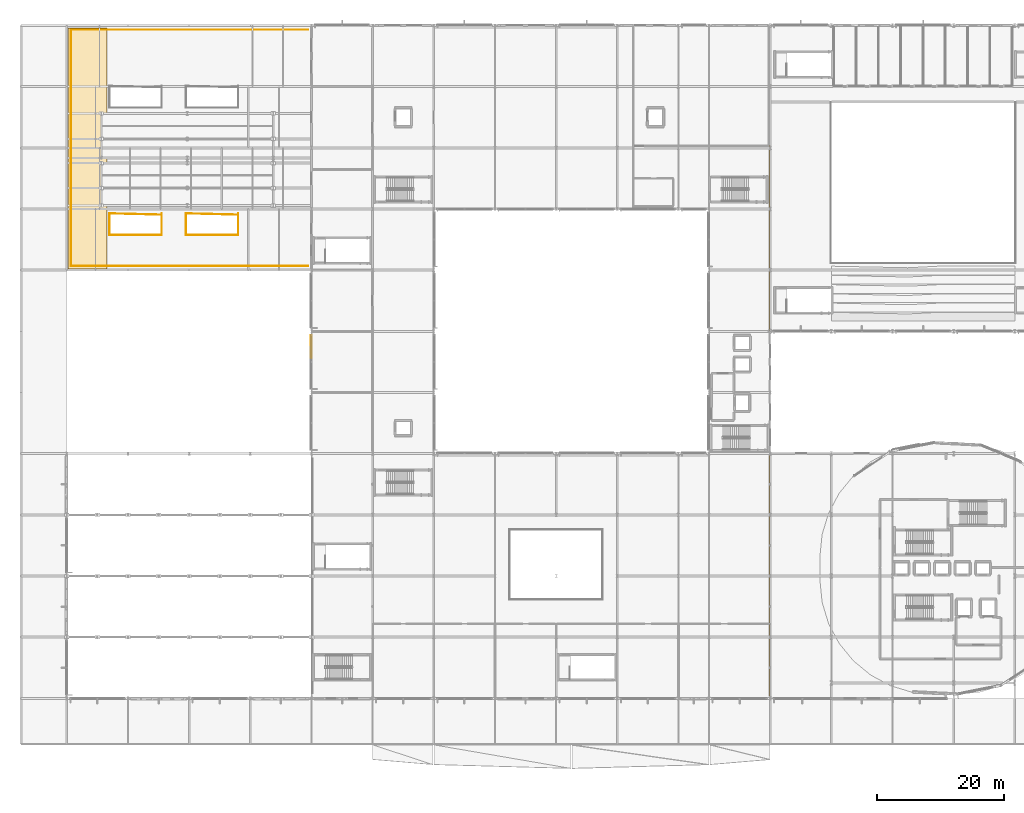
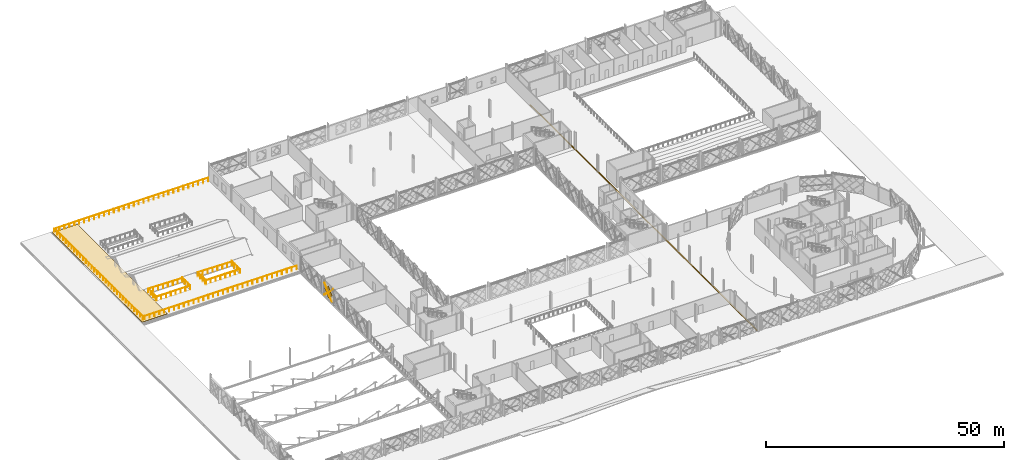
# One storey, part 86 of 101: 6 railings, 5 coverings.
"""IFC4 building model written with IfcOpenShell, lengths in metres."""

from ifc_helpers import new_model, si_unit, direction, frame, origin, origin_2d, place, context, subcontext, project, spatial, polyline, circle, outline, extrude, material, layer, layer_set, type_object, element, save


model = new_model("IFC4")

# Units and contexts
model_context = context("Model", 3, precision=1e-05, world=origin(), true_north=direction((0.0, 1.0)))
body_context = subcontext(model_context, "Body", "Model", "MODEL_VIEW")
ifc_project = project(units=[si_unit("LENGTHUNIT", "METRE"), si_unit("AREAUNIT", "SQUARE_METRE"), si_unit("VOLUMEUNIT", "CUBIC_METRE"), si_unit("PLANEANGLEUNIT", "RADIAN"), si_unit("MASSUNIT", "GRAM", prefix="KILO")], contexts=[model_context])

# Site, building, storey
site_placement = place(None, origin())
site = spatial("IfcSite", under=ifc_project, at=site_placement, CompositionType="ELEMENT")
building_placement = place(site_placement, origin())
building = spatial("IfcBuilding", under=site, at=building_placement, Name="Zevrakil Square Congress Hotel", CompositionType="ELEMENT")
storey_placement = place(building_placement, frame((0.0, 0.0, 5.39990234375)))
storey = spatial("IfcBuildingStorey", under=building, at=storey_placement, Name="L02", CompositionType="ELEMENT", Elevation=5.39990234375)

# Coverings
ifc_material_1 = material(Name="Architectural White Fibre-C GRC", Category="concrete")
ifc_layer_1 = layer(ifc_material_1, 0.06494140625)
ifc_layer_set_1 = layer_set([ifc_layer_1], Name="Architectural White Fibre-C GRC")
covering_type_1 = type_object("IfcCoveringType", Name="COV-DIA-WHITE", PredefinedType="CLADDING", material=ifc_layer_set_1)
covering_1_placement = place(storey_placement, frame((45.507080078125, 62.60009765625, 3.27001953125), z_axis=(-0.999999812555, 0.0, 0.000612282237), x_axis=(-0.000432915721, -0.707161000838, -0.707052424844)))
element("IfcCovering", 1, at=covering_1_placement, inside=storey, type_object=covering_type_1, Name="L02 45-degree white GRC diamond facade cassette 466", PredefinedType="CLADDING", context=body_context, shape_type="SweptSolid", body=[
    extrude(outline(polyline([(0.0, 0.0), (2.2485514454845923, 0.0), (2.248379222880032, -2.2487240657380214), (0.013983748838055643, -2.248379882955194), (-0.0001711092764935529, -2.234222853853795), (0.0, 0.0)])), origin(), (0.0, 0.0, -1.0), 0.1201171875),
])
ifc_material_2 = material(Name="Anodised Champagne Aluminium", Category="aluminium")
ifc_layer_2 = layer(ifc_material_2, 0.0849609375)
ifc_layer_set_2 = layer_set([ifc_layer_2], Name="Anodised Champagne Aluminium")
covering_type_2 = type_object("IfcCoveringType", Name="COV-DIAGRID-45", PredefinedType="MOLDING", material=ifc_layer_set_2)
covering_2_placement = place(storey_placement, frame((45.47998046875, 64.093994140625, 0.080078125), z_axis=(-0.99999988382, -0.000187951111, 0.000443884538), x_axis=(-0.000187951092, 0.999999982337, 8.3429e-08)))
element("IfcCovering", 2, at=covering_2_placement, inside=storey, type_object=covering_type_2, Name="L02 45-degree aluminium diagrid rib 469", PredefinedType="MOLDING", context=body_context, shape_type="SweptSolid", body=[
    extrude(outline(polyline([(0.0, 0.0), (0.08593749848210225, 1.137373342260413e-24), (0.085937509012518, -0.12622069069014652), (-3.302978577000679, -3.515137347782409), (-3.515136776378369, -3.515137347782409), (0.0, 0.0)])), origin(), (0.0, 0.0, -1.0), 0.14501953125),
])
covering_3_placement = place(storey_placement, frame((45.48193359375, 64.179931640625, 3.154052734375), z_axis=(-0.999999905692, 0.000306919207, 0.000307272394), x_axis=(0.00030727238, -9.4308e-08, 0.999999952792)))
element("IfcCovering", 3, at=covering_3_placement, inside=storey, type_object=covering_type_2, Name="L02 45-degree aluminium diagrid rib 472", PredefinedType="MOLDING", context=body_context, shape_type="SweptSolid", body=[
    extrude(outline(polyline([(0.0, 0.0), (0.21215819310940093, 2.8078904387053947e-24), (-3.0739747544917018, -3.286133257175718), (-3.0739747745229002, -3.073730923429806), (0.0, 0.0)])), origin(), (0.0, 0.0, -1.0), 0.14501953125),
])
ifc_material_3 = material(Name="Honed Addis Basalt Stone Flooring", Category="masonry")
ifc_layer_3 = layer(ifc_material_3, 0.030029296875)
ifc_layer_set_3 = layer_set([ifc_layer_3], Name="Honed Addis Basalt Stone Flooring")
covering_type_3 = type_object("IfcCoveringType", Name="COV-FLOR-BASALT-030", PredefinedType="FLOORING", material=ifc_layer_set_3)
covering_4_placement = place(storey_placement, origin())
element("IfcCovering", 4, at=covering_4_placement, inside=storey, type_object=covering_type_3, Name="L02 flush movement-joint floor cover plate 08", PredefinedType="FLOORING", context=body_context, shape_type="SweptSolid", body=[
    extrude(outline(polyline([(117.47998046875, 7.60009765625), (117.719970703125, 7.60009765625), (117.719970703125, 102.800048828125), (117.47998046875, 102.800048828125), (117.47998046875, 7.60009765625)])), origin(), (0.0, 0.0, 1.0), 0.030029296875),
])
ifc_material_4 = material(Name="EPDM Weatherproof Roof Membrane")
ifc_layer_4 = layer(ifc_material_4, 0.06005859375)
ifc_layer_set_4 = layer_set([ifc_layer_4], Name="EPDM Weatherproof Roof Membrane")
covering_type_4 = type_object("IfcCoveringType", Name="COV-ROOF-MEMB-060", PredefinedType="ROOFING", material=ifc_layer_set_4)
covering_5_placement = place(storey_placement, origin())
element("IfcCovering", 5, at=covering_5_placement, inside=storey, type_object=covering_type_4, Name="L02 weatherproof roof membrane covering COV-ROOF-L02-SPA", PredefinedType="ROOFING", context=body_context, shape_type="SweptSolid", body=[
    extrude(outline(polyline([(7.39990234375, 74.60009765625), (13.5, 74.60009765625), (13.5, 112.39990234375), (7.39990234375, 112.39990234375), (7.39990234375, 74.60009765625)])), origin(), (0.0, 0.0, 1.0), 0.06005859375),
])

# Railings
ifc_material_5 = material(Name="Steel S355", Category="steel")
railing_type = type_object("IfcRailingType", Name="RLG-TERR-1100", PredefinedType="BALUSTRADE", material=ifc_material_5)
railing_1_placement = place(storey_placement, frame((7.85009765625, 75.050048828125, 0.0)))
element("IfcRailing", 6, at=railing_1_placement, inside=storey, type_object=railing_type, Name="L02 terrace and void safety balustrade guard 1", PredefinedType="BALUSTRADE", context=body_context, shape_type="SweptSolid", body=[
    extrude(circle(Radius=0.02392578125, at=origin_2d()), frame((0.0, 0.0, 1.076171875), z_axis=(0.0, 1.0, 0.0), x_axis=(-1.0, 0.0, 0.0)), (0.0, 0.0, 1.0), 37.099853515625),
    extrude(circle(Radius=0.02392578125, at=origin_2d()), frame((0.0, 37.099853515625, 1.076171875), z_axis=(1.0, 0.0, 0.0), x_axis=(0.0, 1.0, 0.0)), (0.0, 0.0, 1.0), 37.199951171875),
    extrude(circle(Radius=0.02099609375, at=origin_2d()), origin(), (0.0, 0.0, 1.0), 1.052001953125),
    extrude(circle(Radius=0.02099609375, at=origin_2d()), frame((0.0, 1.19677734375, 0.0)), (0.0, 0.0, 1.0), 1.052001953125),
    extrude(circle(Radius=0.02099609375, at=origin_2d()), frame((0.0, 2.3935546875, 0.0)), (0.0, 0.0, 1.0), 1.052001953125),
    extrude(circle(Radius=0.02099609375, at=origin_2d()), frame((0.0, 3.59033203125, 0.0)), (0.0, 0.0, 1.0), 1.052001953125),
    extrude(circle(Radius=0.02099609375, at=origin_2d()), frame((0.0, 4.787109375, 0.0)), (0.0, 0.0, 1.0), 1.052001953125),
    extrude(circle(Radius=0.02099609375, at=origin_2d()), frame((0.0, 5.98388671875, 0.0)), (0.0, 0.0, 1.0), 1.052001953125),
    extrude(circle(Radius=0.02099609375, at=origin_2d()), frame((0.0, 7.1806640625, 0.0)), (0.0, 0.0, 1.0), 1.052001953125),
    extrude(circle(Radius=0.02099609375, at=origin_2d()), frame((0.0, 8.37744140625, 0.0)), (0.0, 0.0, 1.0), 1.052001953125),
    extrude(circle(Radius=0.02099609375, at=origin_2d()), frame((0.0, 9.57421875, 0.0)), (0.0, 0.0, 1.0), 1.052001953125),
    extrude(circle(Radius=0.02099609375, at=origin_2d()), frame((0.0, 10.77099609375, 0.0)), (0.0, 0.0, 1.0), 1.052001953125),
    extrude(circle(Radius=0.02099609375, at=origin_2d()), frame((0.0, 11.9677734375, 0.0)), (0.0, 0.0, 1.0), 1.052001953125),
    extrude(circle(Radius=0.02099609375, at=origin_2d()), frame((0.0, 13.16455078125, 0.0)), (0.0, 0.0, 1.0), 1.052001953125),
    extrude(circle(Radius=0.02099609375, at=origin_2d()), frame((0.0, 14.361328125, 0.0)), (0.0, 0.0, 1.0), 1.052001953125),
    extrude(circle(Radius=0.02099609375, at=origin_2d()), frame((0.0, 15.55810546875, 0.0)), (0.0, 0.0, 1.0), 1.052001953125),
    extrude(circle(Radius=0.02099609375, at=origin_2d()), frame((0.0, 16.7548828125, 0.0)), (0.0, 0.0, 1.0), 1.052001953125),
    extrude(circle(Radius=0.02099609375, at=origin_2d()), frame((0.0, 17.95166015625, 0.0)), (0.0, 0.0, 1.0), 1.052001953125),
    extrude(circle(Radius=0.02099609375, at=origin_2d()), frame((0.0, 19.148193359375, 0.0)), (0.0, 0.0, 1.0), 1.052001953125),
    extrude(circle(Radius=0.02099609375, at=origin_2d()), frame((0.0, 20.344970703125, 0.0)), (0.0, 0.0, 1.0), 1.052001953125),
    extrude(circle(Radius=0.02099609375, at=origin_2d()), frame((0.0, 21.541748046875, 0.0)), (0.0, 0.0, 1.0), 1.052001953125),
    extrude(circle(Radius=0.02099609375, at=origin_2d()), frame((0.0, 22.738525390625, 0.0)), (0.0, 0.0, 1.0), 1.052001953125),
    extrude(circle(Radius=0.02099609375, at=origin_2d()), frame((0.0, 23.935302734375, 0.0)), (0.0, 0.0, 1.0), 1.052001953125),
    extrude(circle(Radius=0.02099609375, at=origin_2d()), frame((0.0, 25.132080078125, 0.0)), (0.0, 0.0, 1.0), 1.052001953125),
    extrude(circle(Radius=0.02099609375, at=origin_2d()), frame((0.0, 26.328857421875, 0.0)), (0.0, 0.0, 1.0), 1.052001953125),
    extrude(circle(Radius=0.02099609375, at=origin_2d()), frame((0.0, 27.525634765625, 0.0)), (0.0, 0.0, 1.0), 1.052001953125),
    extrude(circle(Radius=0.02099609375, at=origin_2d()), frame((0.0, 28.722412109375, 0.0)), (0.0, 0.0, 1.0), 1.052001953125),
    extrude(circle(Radius=0.02099609375, at=origin_2d()), frame((0.0, 29.919189453125, 0.0)), (0.0, 0.0, 1.0), 1.052001953125),
    extrude(circle(Radius=0.02099609375, at=origin_2d()), frame((0.0, 31.115966796875, 0.0)), (0.0, 0.0, 1.0), 1.052001953125),
    extrude(circle(Radius=0.02099609375, at=origin_2d()), frame((0.0, 32.312744140625, 0.0)), (0.0, 0.0, 1.0), 1.052001953125),
    extrude(circle(Radius=0.02099609375, at=origin_2d()), frame((0.0, 33.509521484375, 0.0)), (0.0, 0.0, 1.0), 1.052001953125),
    extrude(circle(Radius=0.02099609375, at=origin_2d()), frame((0.0, 34.706298828125, 0.0)), (0.0, 0.0, 1.0), 1.052001953125),
    extrude(circle(Radius=0.02099609375, at=origin_2d()), frame((0.0, 35.903076171875, 0.0)), (0.0, 0.0, 1.0), 1.052001953125),
    extrude(circle(Radius=0.02099609375, at=origin_2d()), frame((0.0, 37.099853515625, 0.0)), (0.0, 0.0, 1.0), 1.052001953125),
    extrude(circle(Radius=0.02099609375, at=origin_2d()), frame((1.199951171875, 37.099853515625, 0.0)), (0.0, 0.0, 1.0), 1.052001953125),
    extrude(circle(Radius=0.02099609375, at=origin_2d()), frame((2.39990234375, 37.099853515625, 0.0)), (0.0, 0.0, 1.0), 1.052001953125),
    extrude(circle(Radius=0.02099609375, at=origin_2d()), frame((3.60009765625, 37.099853515625, 0.0)), (0.0, 0.0, 1.0), 1.052001953125),
    extrude(circle(Radius=0.02099609375, at=origin_2d()), frame((4.800048828125, 37.099853515625, 0.0)), (0.0, 0.0, 1.0), 1.052001953125),
    extrude(circle(Radius=0.02099609375, at=origin_2d()), frame((6.0, 37.099853515625, 0.0)), (0.0, 0.0, 1.0), 1.052001953125),
    extrude(circle(Radius=0.02099609375, at=origin_2d()), frame((7.199951171875, 37.099853515625, 0.0)), (0.0, 0.0, 1.0), 1.052001953125),
    extrude(circle(Radius=0.02099609375, at=origin_2d()), frame((8.39990234375, 37.099853515625, 0.0)), (0.0, 0.0, 1.0), 1.052001953125),
    extrude(circle(Radius=0.02099609375, at=origin_2d()), frame((9.60009765625, 37.099853515625, 0.0)), (0.0, 0.0, 1.0), 1.052001953125),
    extrude(circle(Radius=0.02099609375, at=origin_2d()), frame((10.800048828125, 37.099853515625, 0.0)), (0.0, 0.0, 1.0), 1.052001953125),
    extrude(circle(Radius=0.02099609375, at=origin_2d()), frame((12.0, 37.099853515625, 0.0)), (0.0, 0.0, 1.0), 1.052001953125),
    extrude(circle(Radius=0.02099609375, at=origin_2d()), frame((13.199951171875, 37.099853515625, 0.0)), (0.0, 0.0, 1.0), 1.052001953125),
    extrude(circle(Radius=0.02099609375, at=origin_2d()), frame((14.39990234375, 37.099853515625, 0.0)), (0.0, 0.0, 1.0), 1.052001953125),
    extrude(circle(Radius=0.02099609375, at=origin_2d()), frame((15.60009765625, 37.099853515625, 0.0)), (0.0, 0.0, 1.0), 1.052001953125),
    extrude(circle(Radius=0.02099609375, at=origin_2d()), frame((16.800048828125, 37.099853515625, 0.0)), (0.0, 0.0, 1.0), 1.052001953125),
    extrude(circle(Radius=0.02099609375, at=origin_2d()), frame((18.0, 37.099853515625, 0.0)), (0.0, 0.0, 1.0), 1.052001953125),
    extrude(circle(Radius=0.02099609375, at=origin_2d()), frame((19.199951171875, 37.099853515625, 0.0)), (0.0, 0.0, 1.0), 1.052001953125),
    extrude(circle(Radius=0.02099609375, at=origin_2d()), frame((20.39990234375, 37.099853515625, 0.0)), (0.0, 0.0, 1.0), 1.052001953125),
    extrude(circle(Radius=0.02099609375, at=origin_2d()), frame((21.599853515625, 37.099853515625, 0.0)), (0.0, 0.0, 1.0), 1.052001953125),
    extrude(circle(Radius=0.02099609375, at=origin_2d()), frame((22.800048828125, 37.099853515625, 0.0)), (0.0, 0.0, 1.0), 1.052001953125),
    extrude(circle(Radius=0.02099609375, at=origin_2d()), frame((24.0, 37.099853515625, 0.0)), (0.0, 0.0, 1.0), 1.052001953125),
    extrude(circle(Radius=0.02099609375, at=origin_2d()), frame((25.199951171875, 37.099853515625, 0.0)), (0.0, 0.0, 1.0), 1.052001953125),
    extrude(circle(Radius=0.02099609375, at=origin_2d()), frame((26.39990234375, 37.099853515625, 0.0)), (0.0, 0.0, 1.0), 1.052001953125),
    extrude(circle(Radius=0.02099609375, at=origin_2d()), frame((27.599853515625, 37.099853515625, 0.0)), (0.0, 0.0, 1.0), 1.052001953125),
    extrude(circle(Radius=0.02099609375, at=origin_2d()), frame((28.800048828125, 37.099853515625, 0.0)), (0.0, 0.0, 1.0), 1.052001953125),
    extrude(circle(Radius=0.02099609375, at=origin_2d()), frame((30.0, 37.099853515625, 0.0)), (0.0, 0.0, 1.0), 1.052001953125),
    extrude(circle(Radius=0.02099609375, at=origin_2d()), frame((31.199951171875, 37.099853515625, 0.0)), (0.0, 0.0, 1.0), 1.052001953125),
    extrude(circle(Radius=0.02099609375, at=origin_2d()), frame((32.39990234375, 37.099853515625, 0.0)), (0.0, 0.0, 1.0), 1.052001953125),
    extrude(circle(Radius=0.02099609375, at=origin_2d()), frame((33.599853515625, 37.099853515625, 0.0)), (0.0, 0.0, 1.0), 1.052001953125),
    extrude(circle(Radius=0.02099609375, at=origin_2d()), frame((34.800048828125, 37.099853515625, 0.0)), (0.0, 0.0, 1.0), 1.052001953125),
    extrude(circle(Radius=0.02099609375, at=origin_2d()), frame((36.0, 37.099853515625, 0.0)), (0.0, 0.0, 1.0), 1.052001953125),
    extrude(circle(Radius=0.02099609375, at=origin_2d()), frame((37.199951171875, 37.099853515625, 0.0)), (0.0, 0.0, 1.0), 1.052001953125),
])
railing_2_placement = place(storey_placement, frame((8.25, 75.050048828125, 0.0)))
element("IfcRailing", 7, at=railing_2_placement, inside=storey, type_object=railing_type, Name="L02 terrace and void safety balustrade guard 2", PredefinedType="BALUSTRADE", context=body_context, shape_type="SweptSolid", body=[
    extrude(circle(Radius=0.02392578125, at=origin_2d()), frame((0.0, 0.0, 1.076171875), z_axis=(1.0, 0.0, 0.0), x_axis=(0.0, 1.0, 0.0)), (0.0, 0.0, 1.0), 36.800048828125),
    extrude(circle(Radius=0.02099609375, at=origin_2d()), origin(), (0.0, 0.0, 1.0), 1.052001953125),
    extrude(circle(Radius=0.02099609375, at=origin_2d()), frame((1.18701171875, 0.0, 0.0)), (0.0, 0.0, 1.0), 1.052001953125),
    extrude(circle(Radius=0.02099609375, at=origin_2d()), frame((2.374267578125, 0.0, 0.0)), (0.0, 0.0, 1.0), 1.052001953125),
    extrude(circle(Radius=0.02099609375, at=origin_2d()), frame((3.561279296875, 0.0, 0.0)), (0.0, 0.0, 1.0), 1.052001953125),
    extrude(circle(Radius=0.02099609375, at=origin_2d()), frame((4.748291015625, 0.0, 0.0)), (0.0, 0.0, 1.0), 1.052001953125),
    extrude(circle(Radius=0.02099609375, at=origin_2d()), frame((5.935546875, 0.0, 0.0)), (0.0, 0.0, 1.0), 1.052001953125),
    extrude(circle(Radius=0.02099609375, at=origin_2d()), frame((7.12255859375, 0.0, 0.0)), (0.0, 0.0, 1.0), 1.052001953125),
    extrude(circle(Radius=0.02099609375, at=origin_2d()), frame((8.3095703125, 0.0, 0.0)), (0.0, 0.0, 1.0), 1.052001953125),
    extrude(circle(Radius=0.02099609375, at=origin_2d()), frame((9.496826171875, 0.0, 0.0)), (0.0, 0.0, 1.0), 1.052001953125),
    extrude(circle(Radius=0.02099609375, at=origin_2d()), frame((10.683837890625, 0.0, 0.0)), (0.0, 0.0, 1.0), 1.052001953125),
    extrude(circle(Radius=0.02099609375, at=origin_2d()), frame((11.87109375, 0.0, 0.0)), (0.0, 0.0, 1.0), 1.052001953125),
    extrude(circle(Radius=0.02099609375, at=origin_2d()), frame((13.05810546875, 0.0, 0.0)), (0.0, 0.0, 1.0), 1.052001953125),
    extrude(circle(Radius=0.02099609375, at=origin_2d()), frame((14.2451171875, 0.0, 0.0)), (0.0, 0.0, 1.0), 1.052001953125),
    extrude(circle(Radius=0.02099609375, at=origin_2d()), frame((15.432373046875, 0.0, 0.0)), (0.0, 0.0, 1.0), 1.052001953125),
    extrude(circle(Radius=0.02099609375, at=origin_2d()), frame((16.619384765625, 0.0, 0.0)), (0.0, 0.0, 1.0), 1.052001953125),
    extrude(circle(Radius=0.02099609375, at=origin_2d()), frame((17.806396484375, 0.0, 0.0)), (0.0, 0.0, 1.0), 1.052001953125),
    extrude(circle(Radius=0.02099609375, at=origin_2d()), frame((18.99365234375, 0.0, 0.0)), (0.0, 0.0, 1.0), 1.052001953125),
    extrude(circle(Radius=0.02099609375, at=origin_2d()), frame((20.1806640625, 0.0, 0.0)), (0.0, 0.0, 1.0), 1.052001953125),
    extrude(circle(Radius=0.02099609375, at=origin_2d()), frame((21.36767578125, 0.0, 0.0)), (0.0, 0.0, 1.0), 1.052001953125),
    extrude(circle(Radius=0.02099609375, at=origin_2d()), frame((22.554931640625, 0.0, 0.0)), (0.0, 0.0, 1.0), 1.052001953125),
    extrude(circle(Radius=0.02099609375, at=origin_2d()), frame((23.741943359375, 0.0, 0.0)), (0.0, 0.0, 1.0), 1.052001953125),
    extrude(circle(Radius=0.02099609375, at=origin_2d()), frame((24.928955078125, 0.0, 0.0)), (0.0, 0.0, 1.0), 1.052001953125),
    extrude(circle(Radius=0.02099609375, at=origin_2d()), frame((26.1162109375, 0.0, 0.0)), (0.0, 0.0, 1.0), 1.052001953125),
    extrude(circle(Radius=0.02099609375, at=origin_2d()), frame((27.30322265625, 0.0, 0.0)), (0.0, 0.0, 1.0), 1.052001953125),
    extrude(circle(Radius=0.02099609375, at=origin_2d()), frame((28.490478515625, 0.0, 0.0)), (0.0, 0.0, 1.0), 1.052001953125),
    extrude(circle(Radius=0.02099609375, at=origin_2d()), frame((29.677490234375, 0.0, 0.0)), (0.0, 0.0, 1.0), 1.052001953125),
    extrude(circle(Radius=0.02099609375, at=origin_2d()), frame((30.864501953125, 0.0, 0.0)), (0.0, 0.0, 1.0), 1.052001953125),
    extrude(circle(Radius=0.02099609375, at=origin_2d()), frame((32.0517578125, 0.0, 0.0)), (0.0, 0.0, 1.0), 1.052001953125),
    extrude(circle(Radius=0.02099609375, at=origin_2d()), frame((33.23876953125, 0.0, 0.0)), (0.0, 0.0, 1.0), 1.052001953125),
    extrude(circle(Radius=0.02099609375, at=origin_2d()), frame((34.42578125, 0.0, 0.0)), (0.0, 0.0, 1.0), 1.052001953125),
    extrude(circle(Radius=0.02099609375, at=origin_2d()), frame((35.613037109375, 0.0, 0.0)), (0.0, 0.0, 1.0), 1.052001953125),
    extrude(circle(Radius=0.02099609375, at=origin_2d()), frame((36.800048828125, 0.0, 0.0)), (0.0, 0.0, 1.0), 1.052001953125),
])
railing_3_placement = place(storey_placement, frame((13.89990234375, 79.89990234375, 0.0)))
element("IfcRailing", 8, at=railing_3_placement, inside=storey, type_object=railing_type, Name="L02 terrace and void safety balustrade guard 3", PredefinedType="BALUSTRADE", context=body_context, shape_type="SweptSolid", body=[
    extrude(circle(Radius=0.02392578125, at=origin_2d()), frame((0.0, 0.0, 1.076171875), z_axis=(1.0, 0.0, 0.0), x_axis=(0.0, 1.0, 0.0)), (0.0, 0.0, 1.0), 8.2001953125),
    extrude(circle(Radius=0.02392578125, at=origin_2d()), frame((8.2001953125, 0.0, 1.076171875), z_axis=(0.0, 1.0, 0.0), x_axis=(-1.0, 0.0, 0.0)), (0.0, 0.0, 1.0), 3.400146484375),
    extrude(circle(Radius=0.02099609375, at=origin_2d()), origin(), (0.0, 0.0, 1.0), 1.052001953125),
    extrude(circle(Radius=0.02099609375, at=origin_2d()), frame((1.17138671875, 0.0, 0.0)), (0.0, 0.0, 1.0), 1.052001953125),
    extrude(circle(Radius=0.02099609375, at=origin_2d()), frame((2.343017578125, 0.0, 0.0)), (0.0, 0.0, 1.0), 1.052001953125),
    extrude(circle(Radius=0.02099609375, at=origin_2d()), frame((3.514404296875, 0.0, 0.0)), (0.0, 0.0, 1.0), 1.052001953125),
    extrude(circle(Radius=0.02099609375, at=origin_2d()), frame((4.685791015625, 0.0, 0.0)), (0.0, 0.0, 1.0), 1.052001953125),
    extrude(circle(Radius=0.02099609375, at=origin_2d()), frame((5.857177734375, 0.0, 0.0)), (0.0, 0.0, 1.0), 1.052001953125),
    extrude(circle(Radius=0.02099609375, at=origin_2d()), frame((7.02880859375, 0.0, 0.0)), (0.0, 0.0, 1.0), 1.052001953125),
    extrude(circle(Radius=0.02099609375, at=origin_2d()), frame((8.2001953125, 0.0, 0.0)), (0.0, 0.0, 1.0), 1.052001953125),
    extrude(circle(Radius=0.02099609375, at=origin_2d()), frame((8.2001953125, 1.13330078125, 0.0)), (0.0, 0.0, 1.0), 1.052001953125),
    extrude(circle(Radius=0.02099609375, at=origin_2d()), frame((8.2001953125, 2.266845703125, 0.0)), (0.0, 0.0, 1.0), 1.052001953125),
    extrude(circle(Radius=0.02099609375, at=origin_2d()), frame((8.2001953125, 3.400146484375, 0.0)), (0.0, 0.0, 1.0), 1.052001953125),
])
railing_4_placement = place(storey_placement, frame((22.10009765625, 83.10009765625, 0.0)))
element("IfcRailing", 9, at=railing_4_placement, inside=storey, type_object=railing_type, Name="L02 terrace and void safety balustrade guard 4", PredefinedType="BALUSTRADE", context=body_context, shape_type="SweptSolid", body=[
    extrude(circle(Radius=0.02392578125, at=origin_2d()), frame((0.0, 0.0, 1.076171875), z_axis=(-0.99970284988, 0.024376462845, 0.0), x_axis=(-0.024376462845, -0.99970284988, 0.0)), (0.0, 0.0, 1.0), 8.20263671875),
    extrude(circle(Radius=0.02392578125, at=origin_2d()), frame((-8.2001953125, 0.199951171875, 1.076171875), z_axis=(0.0, -1.0, 0.0), x_axis=(1.0, 0.0, 0.0)), (0.0, 0.0, 1.0), 3.199951171875),
    extrude(circle(Radius=0.02099609375, at=origin_2d()), origin(), (0.0, 0.0, 1.0), 1.052001953125),
    extrude(circle(Radius=0.02099609375, at=origin_2d()), frame((-1.17138671875, 0.028564453125, 0.0)), (0.0, 0.0, 1.0), 1.052001953125),
    extrude(circle(Radius=0.02099609375, at=origin_2d()), frame((-2.343017578125, 0.05712890625, 0.0)), (0.0, 0.0, 1.0), 1.052001953125),
    extrude(circle(Radius=0.02099609375, at=origin_2d()), frame((-3.514404296875, 0.085693359375, 0.0)), (0.0, 0.0, 1.0), 1.052001953125),
    extrude(circle(Radius=0.02099609375, at=origin_2d()), frame((-4.685791015625, 0.1142578125, 0.0)), (0.0, 0.0, 1.0), 1.052001953125),
    extrude(circle(Radius=0.02099609375, at=origin_2d()), frame((-5.857177734375, 0.142822265625, 0.0)), (0.0, 0.0, 1.0), 1.052001953125),
    extrude(circle(Radius=0.02099609375, at=origin_2d()), frame((-7.02880859375, 0.17138671875, 0.0)), (0.0, 0.0, 1.0), 1.052001953125),
    extrude(circle(Radius=0.02099609375, at=origin_2d()), frame((-8.2001953125, 0.199951171875, 0.0)), (0.0, 0.0, 1.0), 1.052001953125),
    extrude(circle(Radius=0.02099609375, at=origin_2d()), frame((-8.2001953125, -0.86669921875, 0.0)), (0.0, 0.0, 1.0), 1.052001953125),
    extrude(circle(Radius=0.02099609375, at=origin_2d()), frame((-8.2001953125, -1.933349609375, 0.0)), (0.0, 0.0, 1.0), 1.052001953125),
    extrude(circle(Radius=0.02099609375, at=origin_2d()), frame((-8.2001953125, -3.0, 0.0)), (0.0, 0.0, 1.0), 1.052001953125),
])
railing_5_placement = place(storey_placement, frame((25.89990234375, 79.89990234375, 0.0)))
element("IfcRailing", 10, at=railing_5_placement, inside=storey, type_object=railing_type, Name="L02 terrace and void safety balustrade guard 5", PredefinedType="BALUSTRADE", context=body_context, shape_type="SweptSolid", body=[
    extrude(circle(Radius=0.02392578125, at=origin_2d()), frame((0.0, 0.0, 1.076171875), z_axis=(1.0, 0.0, 0.0), x_axis=(0.0, 1.0, 0.0)), (0.0, 0.0, 1.0), 8.2001953125),
    extrude(circle(Radius=0.02392578125, at=origin_2d()), frame((8.2001953125, 0.0, 1.076171875), z_axis=(0.0, 1.0, 0.0), x_axis=(-1.0, 0.0, 0.0)), (0.0, 0.0, 1.0), 3.400146484375),
    extrude(circle(Radius=0.02099609375, at=origin_2d()), origin(), (0.0, 0.0, 1.0), 1.052001953125),
    extrude(circle(Radius=0.02099609375, at=origin_2d()), frame((1.17138671875, 0.0, 0.0)), (0.0, 0.0, 1.0), 1.052001953125),
    extrude(circle(Radius=0.02099609375, at=origin_2d()), frame((2.343017578125, 0.0, 0.0)), (0.0, 0.0, 1.0), 1.052001953125),
    extrude(circle(Radius=0.02099609375, at=origin_2d()), frame((3.514404296875, 0.0, 0.0)), (0.0, 0.0, 1.0), 1.052001953125),
    extrude(circle(Radius=0.02099609375, at=origin_2d()), frame((4.685791015625, 0.0, 0.0)), (0.0, 0.0, 1.0), 1.052001953125),
    extrude(circle(Radius=0.02099609375, at=origin_2d()), frame((5.857177734375, 0.0, 0.0)), (0.0, 0.0, 1.0), 1.052001953125),
    extrude(circle(Radius=0.02099609375, at=origin_2d()), frame((7.02880859375, 0.0, 0.0)), (0.0, 0.0, 1.0), 1.052001953125),
    extrude(circle(Radius=0.02099609375, at=origin_2d()), frame((8.2001953125, 0.0, 0.0)), (0.0, 0.0, 1.0), 1.052001953125),
    extrude(circle(Radius=0.02099609375, at=origin_2d()), frame((8.2001953125, 1.13330078125, 0.0)), (0.0, 0.0, 1.0), 1.052001953125),
    extrude(circle(Radius=0.02099609375, at=origin_2d()), frame((8.2001953125, 2.266845703125, 0.0)), (0.0, 0.0, 1.0), 1.052001953125),
    extrude(circle(Radius=0.02099609375, at=origin_2d()), frame((8.2001953125, 3.400146484375, 0.0)), (0.0, 0.0, 1.0), 1.052001953125),
])
railing_6_placement = place(storey_placement, frame((34.10009765625, 83.10009765625, 0.0)))
element("IfcRailing", 11, at=railing_6_placement, inside=storey, type_object=railing_type, Name="L02 terrace and void safety balustrade guard 6", PredefinedType="BALUSTRADE", context=body_context, shape_type="SweptSolid", body=[
    extrude(circle(Radius=0.02392578125, at=origin_2d()), frame((0.0, 0.0, 1.076171875), z_axis=(-0.99970284988, 0.024376462845, 0.0), x_axis=(-0.024376462845, -0.99970284988, 0.0)), (0.0, 0.0, 1.0), 8.20263671875),
    extrude(circle(Radius=0.02392578125, at=origin_2d()), frame((-8.2001953125, 0.199951171875, 1.076171875), z_axis=(0.0, -1.0, 0.0), x_axis=(1.0, 0.0, 0.0)), (0.0, 0.0, 1.0), 3.199951171875),
    extrude(circle(Radius=0.02099609375, at=origin_2d()), origin(), (0.0, 0.0, 1.0), 1.052001953125),
    extrude(circle(Radius=0.02099609375, at=origin_2d()), frame((-1.17138671875, 0.028564453125, 0.0)), (0.0, 0.0, 1.0), 1.052001953125),
    extrude(circle(Radius=0.02099609375, at=origin_2d()), frame((-2.343017578125, 0.05712890625, 0.0)), (0.0, 0.0, 1.0), 1.052001953125),
    extrude(circle(Radius=0.02099609375, at=origin_2d()), frame((-3.514404296875, 0.085693359375, 0.0)), (0.0, 0.0, 1.0), 1.052001953125),
    extrude(circle(Radius=0.02099609375, at=origin_2d()), frame((-4.685791015625, 0.1142578125, 0.0)), (0.0, 0.0, 1.0), 1.052001953125),
    extrude(circle(Radius=0.02099609375, at=origin_2d()), frame((-5.857177734375, 0.142822265625, 0.0)), (0.0, 0.0, 1.0), 1.052001953125),
    extrude(circle(Radius=0.02099609375, at=origin_2d()), frame((-7.02880859375, 0.17138671875, 0.0)), (0.0, 0.0, 1.0), 1.052001953125),
    extrude(circle(Radius=0.02099609375, at=origin_2d()), frame((-8.2001953125, 0.199951171875, 0.0)), (0.0, 0.0, 1.0), 1.052001953125),
    extrude(circle(Radius=0.02099609375, at=origin_2d()), frame((-8.2001953125, -0.86669921875, 0.0)), (0.0, 0.0, 1.0), 1.052001953125),
    extrude(circle(Radius=0.02099609375, at=origin_2d()), frame((-8.2001953125, -1.933349609375, 0.0)), (0.0, 0.0, 1.0), 1.052001953125),
    extrude(circle(Radius=0.02099609375, at=origin_2d()), frame((-8.2001953125, -3.0, 0.0)), (0.0, 0.0, 1.0), 1.052001953125),
])

save(model, "model.ifc")
